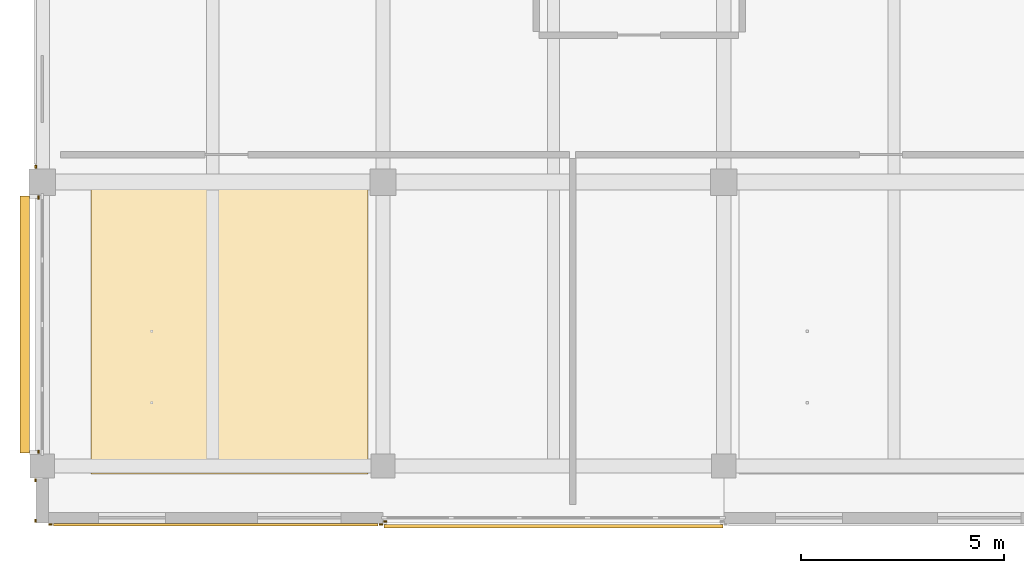
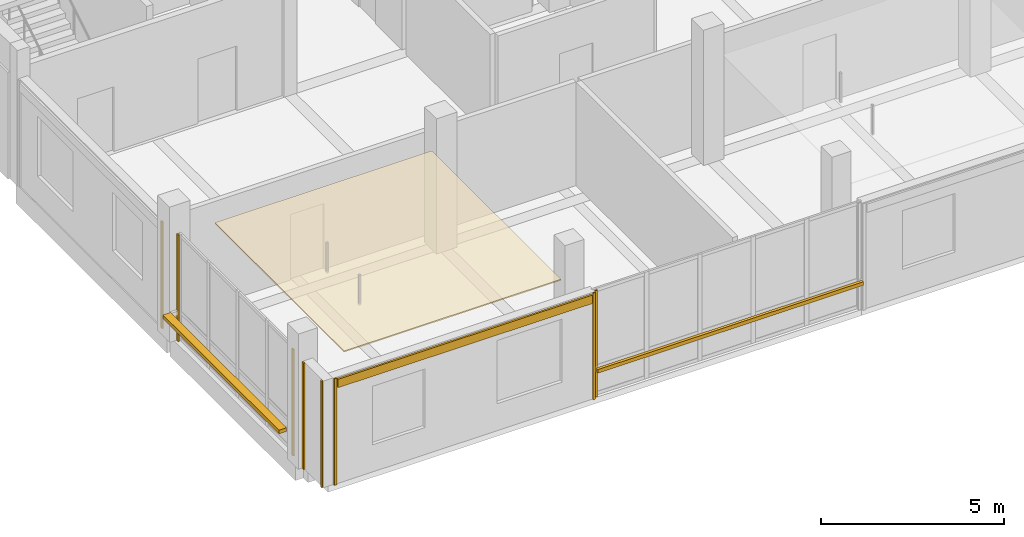
# One storey, part 21 of 29: 10 coverings, 2 shading devices.
"""IFC4 building model written with IfcOpenShell, lengths in metres."""

from ifc_helpers import new_model, si_unit, direction, frame, origin, origin_2d, place, context, subcontext, project, spatial, polyline, rectangle, outline, extrude, material, layer, layer_set, type_object, element, save


model = new_model("IFC4")

# Units and contexts
model_context = context("Model", 3, precision=1e-05, world=origin(), true_north=direction((0.0, 1.0)))
body_context = subcontext(model_context, "Body", "Model", "MODEL_VIEW")
ifc_project = project(units=[si_unit("LENGTHUNIT", "METRE"), si_unit("AREAUNIT", "SQUARE_METRE"), si_unit("VOLUMEUNIT", "CUBIC_METRE"), si_unit("PLANEANGLEUNIT", "RADIAN"), si_unit("MASSUNIT", "GRAM", prefix="KILO")], contexts=[model_context])

# Site, building, storey
site_placement = place(None, origin())
site = spatial("IfcSite", under=ifc_project, at=site_placement, CompositionType="ELEMENT")
building_placement = place(site_placement, origin())
building = spatial("IfcBuilding", under=site, at=building_placement, Name="Telukmera Botanical Conservatory", CompositionType="ELEMENT")
storey_placement = place(building_placement, frame((0.0, 0.0, 55.5)))
storey = spatial("IfcBuildingStorey", under=building, at=storey_placement, Name="L12", CompositionType="ELEMENT", Elevation=55.5)

# Coverings
ifc_material_1 = material(Name="Perforated gypsum acoustic ceiling")
ifc_layer_1 = layer(ifc_material_1, 0.0400390625)
ifc_layer_set_1 = layer_set([ifc_layer_1], Name="Perforated gypsum acoustic ceiling")
covering_type_1 = type_object("IfcCoveringType", Name="COV-CEIL-40", PredefinedType="CEILING", material=ifc_layer_set_1)
covering_1_placement = place(storey_placement, frame((0.0, 0.0, 3.31005859375)))
element("IfcCovering", 1, at=covering_1_placement, inside=storey, type_object=covering_type_1, Name="L12 Microscopy Laboratory Suspended Acoustic Ceiling", PredefinedType="CEILING", context=body_context, shape_type="SweptSolid", body=[
    extrude(outline(polyline([(60.0, 10.39990234375), (66.830078125, 10.39990234375), (66.830078125, 17.449951171875), (60.0, 17.449951171875), (60.0, 10.39990234375)])), origin(), (0.0, 0.0, 1.0), 0.0400390625),
])
ifc_material_2 = material(Name="Granite-faced precast concrete C40/50", Category="masonry")
ifc_layer_2 = layer(ifc_material_2, 0.0400390625)
ifc_layer_set_2 = layer_set([ifc_layer_2], Name="Granite-faced precast concrete C40/50")
covering_type_2 = type_object("IfcCoveringType", Name="Granite Precast Column Pier Reveal Casing", PredefinedType="CLADDING", material=ifc_layer_set_2)
for number, where, z_axis, x_axis, name in (
    (2, (58.6298828125, 9.25, 0.0), (0.0, 0.0, 1.0), (0.0, 1.0, 0.0), "Granite Pier Reveal V4:L12:SWC L"),
    (3, (58.6298828125, 10.248046875, 0.0), (0.0, 0.0, 1.0), (0.0, 1.0, 0.0), "Granite Pier Reveal V4:L12:SWC R"),
    (4, (59.001953125, 9.159912109375, 0.0), (0.0, 0.0, 1.0), (1.0, 0.0, 0.0), "Granite Pier Reveal V4:L12:S1 L"),
    (5, (67.14794921875, 9.159912109375, 0.0), (0.0, 0.0, 1.0), (1.0, 0.0, 0.0), "Granite Pier Reveal V4:L12:S1 R"),
    (6, (67.251953125, 9.22998046875, 0.0), (0.0, 0.0, 1.0), (1.0, 0.0, 0.0), "Granite Pier Reveal V4:L12:S2 L"),
    (7, (58.7099609375, 10.951904296875, 0.0), (0.0, 0.0, 1.0), (0.0, 1.0, 0.0), "Granite Pier Reveal V4:L12:W1 L"),
    (8, (58.7099609375, 17.222900390625, 0.0), (0.0, 0.0, 1.0), (0.0, 1.0, 0.0), "Granite Pier Reveal V4:L12:W1 R"),
    (9, (58.639892578125, 17.97705078125, 0.0), (0.0, 0.0, 1.0), (0.0, 1.0, 0.0), "Granite Pier Reveal V4:L12:W2 L"),
):
    element("IfcCovering", number, at=place(storey_placement, frame(where, z_axis=z_axis, x_axis=x_axis)), inside=storey, type_object=covering_type_2, Name=name, PredefinedType="CLADDING", context=body_context, shape_type="SweptSolid", body=[
        extrude(rectangle(XDim=0.080078125, YDim=0.0400390625, at=origin_2d()), origin(), (0.0, 0.0, 1.0), 3.550048828125),
    ])

# Shading devices
ifc_material_3 = material(Name="Perforated terracotta-anodised aluminium 6063-T6", Category="masonry")
ifc_layer_3 = layer(ifc_material_3, 0.044921875)
ifc_layer_set_3 = layer_set([ifc_layer_3], Name="Perforated terracotta-anodised aluminium 6063-T6")
shading_device_type = type_object("IfcShadingDeviceType", Name="Perforated Terracotta Aluminium Monsoon Brise Soleil", PredefinedType="JALOUSIE", material=ifc_layer_set_3)
shading_device_1_placement = place(storey_placement, frame((71.39990234375, 9.114990234375, 0.889892578125), z_axis=(0.0, 0.0, 1.0), x_axis=(1.0, 0.0, 0.0)))
element("IfcShadingDevice", 10, at=shading_device_1_placement, inside=storey, type_object=shading_device_type, Name="Monsoon Shading BS01 V4:L12:S2", PredefinedType="JALOUSIE", context=body_context, shape_type="SweptSolid", body=[
    extrude(rectangle(XDim=8.35595703125, YDim=0.090087890625, at=origin_2d()), origin(), (0.0, 0.0, 1.0), 0.1201171875),
])
shading_device_2_placement = place(storey_placement, frame((58.3701171875, 14.08740234375, 0.889892578125), z_axis=(0.0, 0.0, 1.0), x_axis=(0.0, 1.0, 0.0)))
element("IfcShadingDevice", 11, at=shading_device_2_placement, inside=storey, type_object=shading_device_type, Name="Monsoon Shading BS01 V4:L12:W1", PredefinedType="JALOUSIE", context=body_context, shape_type="SweptSolid", body=[
    extrude(rectangle(XDim=6.3310546875, YDim=0.239990234375, at=origin_2d()), origin(), (0.0, 0.0, 1.0), 0.1201171875),
])

# Covering
ifc_material_4 = material(Name="Terracotta-faced precast concrete C40/50", Category="masonry")
ifc_layer_4 = layer(ifc_material_4, 0.06005859375)
ifc_layer_set_4 = layer_set([ifc_layer_4], Name="Terracotta-faced precast concrete C40/50")
covering_type_3 = type_object("IfcCoveringType", Name="Polychrome Terracotta Facade Band Cladding", PredefinedType="CLADDING", material=ifc_layer_set_4)
covering_2_placement = place(storey_placement, frame((63.074951171875, 9.14990234375, 3.22998046875), z_axis=(0.0, 0.0, 1.0), x_axis=(1.0, 0.0, 0.0)))
element("IfcCovering", 12, at=covering_2_placement, inside=storey, type_object=covering_type_3, Name="Polychrome Terracotta Band V4:L12:S1", PredefinedType="CLADDING", context=body_context, shape_type="SweptSolid", body=[
    extrude(rectangle(XDim=8.006103515625, YDim=0.06005859375, at=origin_2d()), origin(), (0.0, 0.0, 1.0), 0.280029296875),
])

save(model, "model.ifc")
